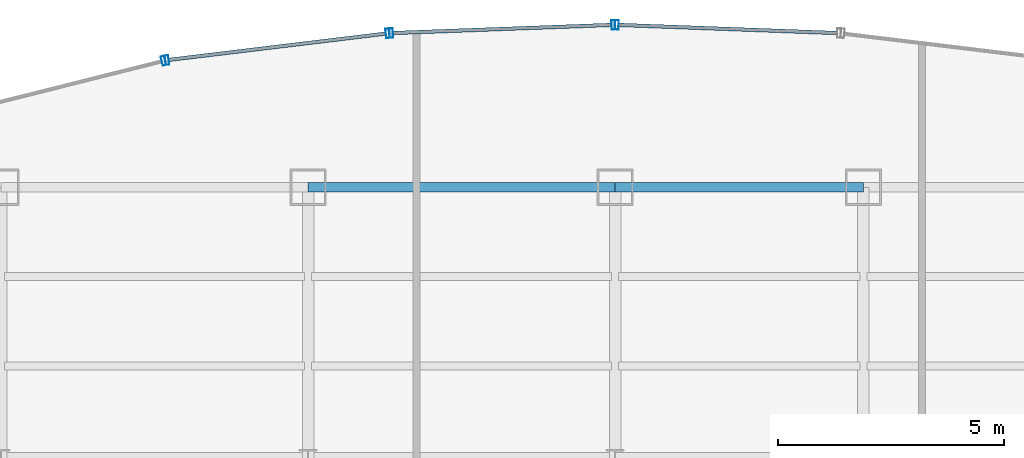
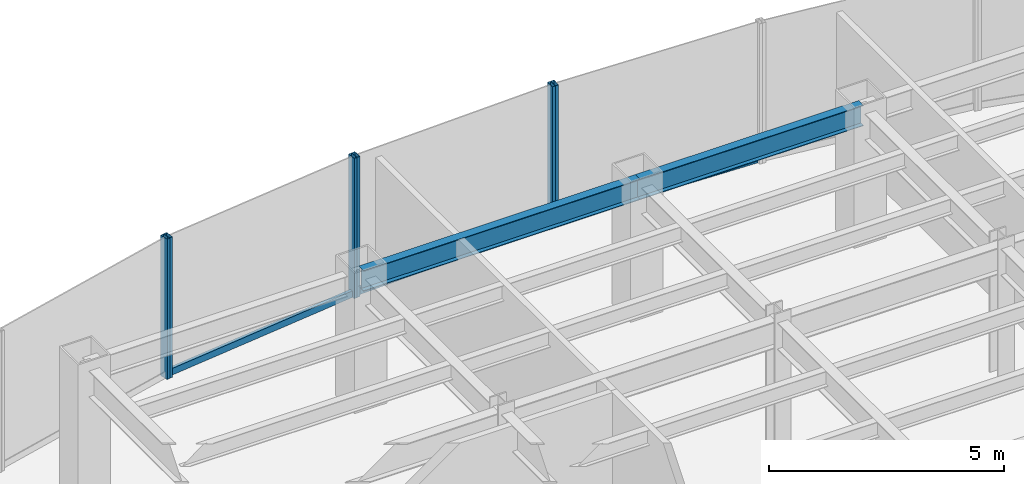
# One storey, part 16 of 26: 9 members, 2 beams, 4 elements without a shape of their own.
"""IFC4 building model written with IfcOpenShell, lengths in metres."""

from ifc_helpers import new_model, si_unit, derived_unit, direction, frame, origin, origin_2d, place, context, subcontext, project, spatial, hollow_rectangle, i_section, extrude, source, transform, mapped, material, material_profile, profile_set, type_object, element, aggregate, save


model = new_model("IFC4")

# Units and contexts
model_context = context("Model", 3, precision=1e-05, world=origin(), true_north=direction((0.0, 1.0)))
body_context = subcontext(model_context, "Body", "Model", "MODEL_VIEW")
ifc_project = project(units=[si_unit("LENGTHUNIT", "METRE"), si_unit("AREAUNIT", "SQUARE_METRE"), si_unit("VOLUMEUNIT", "CUBIC_METRE"), si_unit("PLANEANGLEUNIT", "RADIAN"), si_unit("MASSUNIT", "GRAM", prefix="KILO"), derived_unit("THERMALTRANSMITTANCEUNIT", [(si_unit("POWERUNIT", "WATT"), 1), (si_unit("LENGTHUNIT", "METRE"), -2), (si_unit("THERMODYNAMICTEMPERATUREUNIT", "KELVIN"), -1)])], contexts=[model_context])

# Site, building, storey
site_placement = place(None, origin())
site = spatial("IfcSite", under=ifc_project, at=site_placement, CompositionType="ELEMENT")
building_placement = place(site_placement, origin())
building = spatial("IfcBuilding", under=site, at=building_placement, Name="Skarnbrae Concourse Arena and Tower", CompositionType="ELEMENT")
storey_placement = place(building_placement, frame((0.0, 0.0, 106.89990234375)))
storey = spatial("IfcBuildingStorey", under=building, at=storey_placement, Name="L26", CompositionType="ELEMENT", Elevation=106.89990234375)

# Beams
ifc_material_1 = material(Name="Steel CSA G40.21 350W", Category="steel")
ifc_material_profile_1 = material_profile(ifc_material_1, i_section(OverallWidth=0.208984375, OverallDepth=0.532958984375, WebThickness=0.01025390625, FlangeThickness=0.015625, at=origin_2d()), Name="W530X92")
ifc_profile_set_1 = profile_set([ifc_material_profile_1], Name="Steel CSA G40.21 350W")
beam_type = type_object("IfcBeamType", Name="BM-SPAN-W530X92", PredefinedType="SPANDREL", material=ifc_profile_set_1)
shared_shape_1 = source(origin(), body_context, "Body", "SweptSolid", [
    extrude(i_section(OverallWidth=0.208984375, OverallDepth=0.532958984375, WebThickness=0.01025390625, FlangeThickness=0.015625, at=origin_2d()), origin(), (0.0, 0.0, 1.0), 6.800048828125),
])
beam_1_placement = place(storey_placement, frame((21.199951171875, 40.39990234375, 3.133544921875), z_axis=(1.0, 0.0, 0.0), x_axis=(0.0, 1.0, 0.0)))
element("IfcBeam", 1, at=beam_1_placement, inside=storey, type_object=beam_type, Name="L26 Perimeter spandrel Y40.4-2", PredefinedType="SPANDREL", context=body_context, shape_type="MappedRepresentation", body=[
    mapped(shared_shape_1, transform((0.0, 0.0, 0.0))),
])
shared_shape_2 = source(origin(), body_context, "Body", "SweptSolid", [
    extrude(i_section(OverallWidth=0.208984375, OverallDepth=0.532958984375, WebThickness=0.01025390625, FlangeThickness=0.015625, at=origin_2d()), origin(), (0.0, 0.0, 1.0), 5.5),
])
beam_2_placement = place(storey_placement, frame((28.0, 40.39990234375, 3.133544921875), z_axis=(1.0, 0.0, 0.0), x_axis=(0.0, 1.0, 0.0)))
element("IfcBeam", 2, at=beam_2_placement, inside=storey, type_object=beam_type, Name="L26 Perimeter spandrel Y40.4-3", PredefinedType="SPANDREL", context=body_context, shape_type="MappedRepresentation", body=[
    mapped(shared_shape_2, transform((0.0, 0.0, 0.0))),
])

# Curtain wall, member
ifc_material_2 = material(Name="Bronze anodised aluminium 6063-T6", Category="aluminium")
curtain_wall_type = type_object("IfcCurtainWallType", Name="CW-SYS-03-PORTAL", PredefinedType="USERDEFINED", material=ifc_material_2)
curtain_wall_1_placement = place(storey_placement, origin())
curtain_wall_1 = element("IfcCurtainWall", 3, at=curtain_wall_1_placement, inside=storey, type_object=curtain_wall_type, Name="L26 Unitised curtain wall CW-L26-E11", ObjectType="UNITISED CURTAIN WALL", PredefinedType="USERDEFINED")
ifc_material_profile_2 = material_profile(ifc_material_2, hollow_rectangle(XDim=0.080078125, YDim=0.2099609375, WallThickness=0.00439453125, at=origin_2d()), Name="ALU-MULL-80X210")
ifc_profile_set_2 = profile_set([ifc_material_profile_2], Name="Bronze anodised aluminium 6063-T6")
member_type_1 = type_object("IfcMemberType", Name="CWM-CW-03", PredefinedType="MULLION", material=ifc_profile_set_2)
shared_shape_3 = source(origin(), body_context, "Body", "SweptSolid", [
    extrude(hollow_rectangle(XDim=0.080078125, YDim=0.2099609375, WallThickness=0.00439453125, at=origin_2d()), origin(), (0.0, 0.0, 1.0), 3.650146484375),
])
member_1_placement = place(storey_placement, frame((28.0400390625, 43.99853515625, 0.0), z_axis=(0.0, 0.0, 1.0), x_axis=(-0.999308486252, 0.037182647889, 0.0)))
member_1 = element("IfcMember", 4, at=member_1_placement, type_object=member_type_1, Name="CW-L26-E11 Mullion 2", PredefinedType="MULLION", context=body_context, shape_type="MappedRepresentation", body=[
    mapped(shared_shape_3, transform((0.0, 0.0, 0.0))),
])

# Curtain wall, members
curtain_wall_2_placement = place(storey_placement, origin())
curtain_wall_2 = element("IfcCurtainWall", 5, at=curtain_wall_2_placement, inside=storey, type_object=curtain_wall_type, Name="L26 Unitised curtain wall CW-L26-E12", ObjectType="UNITISED CURTAIN WALL", PredefinedType="USERDEFINED")
member_2_placement = place(storey_placement, frame((27.9599609375, 43.99853515625, 0.0), z_axis=(0.0, 0.0, 1.0), x_axis=(-0.999308486252, -0.037182647889, 0.0)))
member_2 = element("IfcMember", 6, at=member_2_placement, type_object=member_type_1, Name="CW-L26-E12 Mullion 1", PredefinedType="MULLION", context=body_context, shape_type="MappedRepresentation", body=[
    mapped(shared_shape_3, transform((0.0, 0.0, 0.0))),
])
member_3_placement = place(storey_placement, frame((23.041015625, 43.8154296875, 0.0), z_axis=(0.0, 0.0, 1.0), x_axis=(-0.999308486252, -0.037182647889, 0.0)))
member_3 = element("IfcMember", 7, at=member_3_placement, type_object=member_type_1, Name="CW-L26-E12 Mullion 2", PredefinedType="MULLION", context=body_context, shape_type="MappedRepresentation", body=[
    mapped(shared_shape_3, transform((0.0, 0.0, 0.0))),
])

curtain_wall_3_placement = place(storey_placement, origin())
curtain_wall_3 = element("IfcCurtainWall", 8, at=curtain_wall_3_placement, inside=storey, type_object=curtain_wall_type, Name="L26 Unitised curtain wall CW-L26-E13", ObjectType="UNITISED CURTAIN WALL", PredefinedType="USERDEFINED")
member_4_placement = place(storey_placement, frame((22.96142578125, 43.80908203125, 0.0), z_axis=(0.0, 0.0, 1.0), x_axis=(-0.992749371969, -0.120202680731, 0.0)))
member_4 = element("IfcMember", 9, at=member_4_placement, type_object=member_type_1, Name="CW-L26-E13 Mullion 1", PredefinedType="MULLION", context=body_context, shape_type="MappedRepresentation", body=[
    mapped(shared_shape_3, transform((0.0, 0.0, 0.0))),
])
member_5_placement = place(storey_placement, frame((18.075439453125, 43.217529296875, 0.0), z_axis=(0.0, 0.0, 1.0), x_axis=(-0.992749371969, -0.120202680731, 0.0)))
member_5 = element("IfcMember", 10, at=member_5_placement, type_object=member_type_1, Name="CW-L26-E13 Mullion 2", PredefinedType="MULLION", context=body_context, shape_type="MappedRepresentation", body=[
    mapped(shared_shape_3, transform((0.0, 0.0, 0.0))),
])

# Curtain wall, member
curtain_wall_4_placement = place(storey_placement, origin())
curtain_wall_4 = element("IfcCurtainWall", 11, at=curtain_wall_4_placement, inside=storey, type_object=curtain_wall_type, Name="L26 Unitised curtain wall CW-L26-E14", ObjectType="UNITISED CURTAIN WALL", PredefinedType="USERDEFINED")
member_6_placement = place(storey_placement, frame((17.9970703125, 43.203125, 0.0), z_axis=(0.0, 0.0, 1.0), x_axis=(-0.969903046166, -0.243491439351, 0.0)))
member_6 = element("IfcMember", 12, at=member_6_placement, type_object=member_type_1, Name="CW-L26-E14 Mullion 1", PredefinedType="MULLION", context=body_context, shape_type="MappedRepresentation", body=[
    mapped(shared_shape_3, transform((0.0, 0.0, 0.0))),
])
aggregate(curtain_wall_4, [member_6])

# Member
ifc_material_profile_3 = material_profile(ifc_material_2, hollow_rectangle(XDim=0.080078125, YDim=0.169921875, WallThickness=0.00439453125, at=origin_2d()), Name="ALU-TRAN-80X170")
ifc_profile_set_3 = profile_set([ifc_material_profile_3], Name="Bronze anodised aluminium 6063-T6")
member_type_2 = type_object("IfcMemberType", Name="CWT-CW-03", PredefinedType="USERDEFINED", material=ifc_profile_set_3)
shared_shape_4 = source(origin(), body_context, "Body", "SweptSolid", [
    extrude(hollow_rectangle(XDim=0.080078125, YDim=0.169921875, WallThickness=0.00439453125, at=origin_2d()), origin(), (0.0, 0.0, 1.0), 4.841552734375),
])
member_7_placement = place(storey_placement, frame((22.921630859375, 43.804443359375, 0.085205078125), z_axis=(-0.992747648444, -0.120216914405, 0.0), x_axis=(0.120216914405, -0.992747648444, 0.0)))
member_7 = element("IfcMember", 13, at=member_7_placement, type_object=member_type_2, Name="CW-L26-E13 Transom 1", ObjectType="TRANSOM", PredefinedType="USERDEFINED", context=body_context, shape_type="MappedRepresentation", body=[
    mapped(shared_shape_4, transform((0.0, 0.0, 0.0))),
])

aggregate(curtain_wall_3, [member_4, member_5, member_7])

shared_shape_5 = source(origin(), body_context, "Body", "SweptSolid", [
    extrude(hollow_rectangle(XDim=0.080078125, YDim=0.169921875, WallThickness=0.00439453125, at=origin_2d()), origin(), (0.0, 0.0, 1.0), 4.842529296875),
])
member_8_placement = place(storey_placement, frame((32.9189453125, 43.81689453125, 0.085205078125), z_axis=(-0.999307562882, 0.0372074558, 0.0), x_axis=(-0.0372074558, -0.999307562882, 0.0)))
member_8 = element("IfcMember", 14, at=member_8_placement, type_object=member_type_2, Name="CW-L26-E11 Transom 1", ObjectType="TRANSOM", PredefinedType="USERDEFINED", context=body_context, shape_type="MappedRepresentation", body=[
    mapped(shared_shape_5, transform((0.0, 0.0, 0.0))),
])

aggregate(curtain_wall_1, [member_1, member_8])

member_9_placement = place(storey_placement, frame((27.920166015625, 43.9970703125, 0.085205078125), z_axis=(-0.999307562882, -0.0372074558, 0.0), x_axis=(0.0372074558, -0.999307562882, 0.0)))
member_9 = element("IfcMember", 15, at=member_9_placement, type_object=member_type_2, Name="CW-L26-E12 Transom 1", ObjectType="TRANSOM", PredefinedType="USERDEFINED", context=body_context, shape_type="MappedRepresentation", body=[
    mapped(shared_shape_5, transform((0.0, 0.0, 0.0))),
])

aggregate(curtain_wall_2, [member_2, member_3, member_9])

save(model, "model.ifc")
